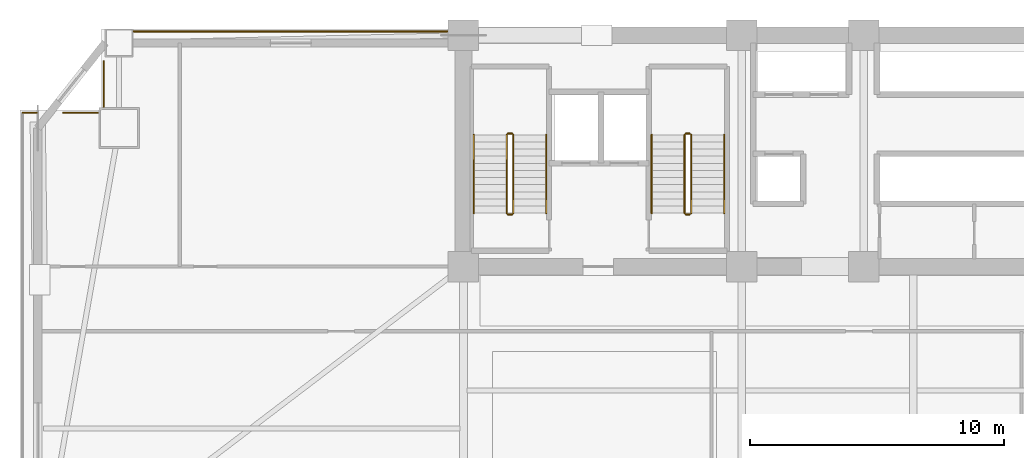
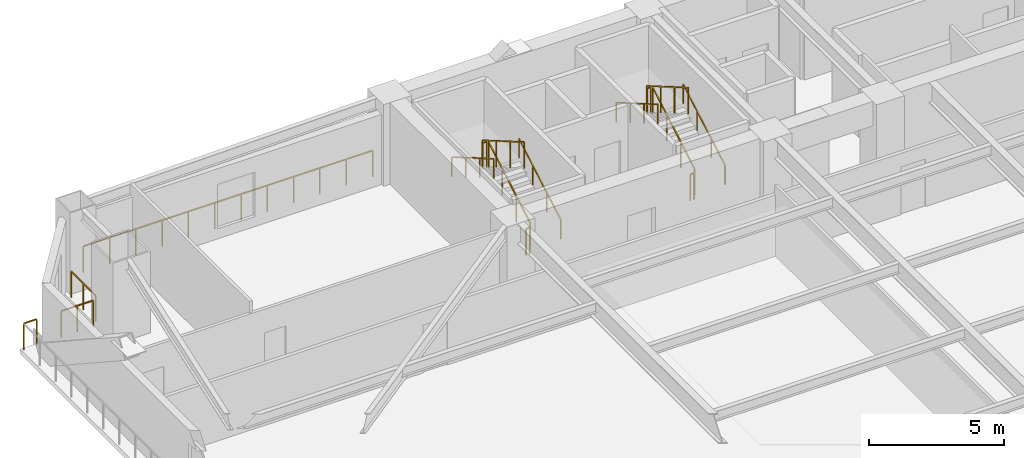
# One storey, part 15 of 17: 16 railings.
"""IFC4 building model written with IfcOpenShell, lengths in metres."""

import ifcopenshell
import ifcopenshell.guid

model = None  # the IFC model being written
_history = None  # IfcOwnerHistory: only IFC2X3 demands one
_inside = {}  # id of a spatial element -> (the spatial element, [elements in it])
_under = {}  # id of a project, library or spatial element -> (it, [spatial elements below it])
_declared = {}  # id of a project -> (the project, [libraries it declares])
_typed = {}  # id of a type object -> (the type object, [elements of that type])
_made_of = {}  # id of a material, layer set ... -> (it, [elements and type objects made of it])


def new_model(schema):
    """Start an empty IFC model of exactly this schema.

    Asked for "IFC4X3", IfcOpenShell would pick the latest addendum, in which some entities
    have other attributes; the version numbers below select the first issue.
    IFC2X3 requires an IfcOwnerHistory on every rooted entity: one is made here for all.
    """
    global model, _history
    if schema == "IFC4X3":
        model = ifcopenshell.file(schema_version=(4, 3, 0, 0))
    else:
        model = ifcopenshell.file(schema=schema)
    _inside.clear()
    _under.clear()
    _declared.clear()
    _typed.clear()
    _made_of.clear()
    _history = None
    if model.schema == "IFC2X3":
        org = make("IfcOrganization", Name="unknown")
        user = make(
            "IfcPersonAndOrganization",
            ThePerson=make("IfcPerson", FamilyName="unknown"),
            TheOrganization=org,
        )
        app = make(
            "IfcApplication",
            ApplicationDeveloper=org,
            Version="unknown",
            ApplicationFullName="unknown",
            ApplicationIdentifier="unknown",
        )
        _history = make(
            "IfcOwnerHistory",
            OwningUser=user,
            OwningApplication=app,
            ChangeAction="ADDED",
            CreationDate=0,
        )
    return model


def make(cls, **values):
    """One entity of the class cls with the attributes given. An attribute that is None is left unset."""
    return model.create_entity(
        cls, **{name: value for name, value in values.items() if value is not None}
    )


def rooted(cls, **values):
    """An entity with a GlobalId (a new one), such as an element, a storey or a relation."""
    return make(cls, GlobalId=ifcopenshell.guid.new(), OwnerHistory=_history, **values)


def si_unit(unit_type, name, prefix=None):
    """IfcSIUnit, for example si_unit("LENGTHUNIT", "METRE", prefix="MILLI")."""
    return make("IfcSIUnit", UnitType=unit_type, Prefix=prefix, Name=name)


def assignment(units):
    """IfcUnitAssignment: the units of a project."""
    return None if units is None else make("IfcUnitAssignment", Units=units)


def point(xyz):
    """IfcCartesianPoint."""
    return None if xyz is None else make("IfcCartesianPoint", Coordinates=xyz)


def direction(xyz):
    """IfcDirection."""
    return None if xyz is None else make("IfcDirection", DirectionRatios=xyz)


def frame(location, z_axis=None, x_axis=None):
    """IfcAxis2Placement3D, a coordinate frame: its origin and axes. An axis left out is left unset."""
    return make(
        "IfcAxis2Placement3D",
        Location=point(location),
        Axis=direction(z_axis),
        RefDirection=direction(x_axis),
    )


def frame_2d(location, x_axis=None):
    """IfcAxis2Placement2D, a coordinate frame in the plane: its origin and x axis."""
    return make(
        "IfcAxis2Placement2D", Location=point(location), RefDirection=direction(x_axis)
    )


def origin():
    """The frame at (0, 0, 0) with its axes left unset."""
    return frame((0.0, 0.0, 0.0))


def origin_2d():
    """The frame at (0, 0) in the plane with its x axis left unset."""
    return frame_2d((0.0, 0.0))


def place(relative_to, where):
    """IfcLocalPlacement: puts the frame where relative to a parent placement (None: the world)."""
    return make(
        "IfcLocalPlacement", PlacementRelTo=relative_to, RelativePlacement=where
    )


def context(
    kind, dimensions, precision=None, world=None, true_north=None, identifier=None
):
    """IfcGeometricRepresentationContext, for example the 3D "Model" context."""
    return make(
        "IfcGeometricRepresentationContext",
        ContextIdentifier=identifier,
        ContextType=kind,
        CoordinateSpaceDimension=dimensions,
        Precision=precision,
        WorldCoordinateSystem=world,
        TrueNorth=true_north,
    )


def subcontext(parent, identifier, kind, view, scale=None):
    """IfcGeometricRepresentationSubContext, for example "Body" below "Model"."""
    return make(
        "IfcGeometricRepresentationSubContext",
        ContextIdentifier=identifier,
        ContextType=kind,
        ParentContext=parent,
        TargetScale=scale,
        TargetView=view,
    )


def project(units=None, contexts=None):
    """IfcProject with its units and contexts."""
    return rooted(
        "IfcProject",
        Name="project",
        RepresentationContexts=contexts,
        UnitsInContext=assignment(units),
    )


def spatial(cls, under=None, at=None, **own):
    """A site, building, storey or space (cls), placed at a placement, below another one or the project."""
    s = rooted(cls, ObjectPlacement=at, **own)
    if under is not None:
        _under.setdefault(under.id(), (under, []))[1].append(s)
    return s


def profile(cls, at=None, kind="AREA", **sizes):
    """A parametric profile (cls). Its sizes go by their IFC names, for example OverallWidth=200.0."""
    return make(cls, ProfileType=kind, Position=at, **sizes)


def rectangle(**sizes):
    """IfcRectangleProfileDef."""
    return profile("IfcRectangleProfileDef", **sizes)


def extrude(swept, where, along, depth):
    """IfcExtrudedAreaSolid: the profile swept, set in the frame where, extruded along a direction by depth."""
    return make(
        "IfcExtrudedAreaSolid",
        SweptArea=swept,
        Position=where,
        ExtrudedDirection=direction(along),
        Depth=depth,
    )


def shape(context_of_items, identifier, shape_type, items):
    """IfcShapeRepresentation: the items that make up one representation, for example the "Body"."""
    return make(
        "IfcShapeRepresentation",
        ContextOfItems=context_of_items,
        RepresentationIdentifier=identifier,
        RepresentationType=shape_type,
        Items=items,
    )


def material(Name=None, Category=None):
    """IfcMaterial."""
    return make("IfcMaterial", Name=Name, Category=Category)


def made_of(thing, what):
    """Note that an element or type object is made of a material, layer set ...; save() writes the relation."""
    if what is not None:
        _made_of.setdefault(what.id(), (what, []))[1].append(thing)
    return thing


def type_object(cls, material=None, **own):
    """A type object (cls), such as IfcWallType, which elements share."""
    return made_of(rooted(cls, **own), material)


def element(
    cls,
    number,
    at=None,
    inside=None,
    cuts=None,
    type_object=None,
    material=None,
    context=None,
    identifier="Body",
    shape_type=None,
    held_by="IfcProductDefinitionShape",
    body=None,
    shapes=None,
    **own,
):
    """One element of the class cls, such as IfcWall. Its Tag is "e" and its number.

    at: its placement. inside: the storey or other place that contains it. cuts: it is an
    opening in that element (IfcRelVoidsElement). A single representation is given by context,
    identifier, shape_type and body (its items); several are given by shapes. held_by: the class
    of the entity that holds the representations. save() writes the other relations.
    """
    e = rooted(cls, Tag="e%d" % number, ObjectPlacement=at, **own)
    if body is not None:
        shapes = [shape(context, identifier, shape_type, body)]
    if shapes is not None:
        e.Representation = make(held_by, Representations=shapes)
    if inside is not None:
        _inside.setdefault(inside.id(), (inside, []))[1].append(e)
    if cuts is not None:
        rooted(
            "IfcRelVoidsElement", RelatingBuildingElement=cuts, RelatedOpeningElement=e
        )
    if type_object is not None:
        _typed.setdefault(type_object.id(), (type_object, []))[1].append(e)
    return made_of(e, material)


def aggregate(whole, parts):
    """IfcRelAggregates: a whole, such as a stair, and the parts it consists of."""
    return rooted("IfcRelAggregates", RelatingObject=whole, RelatedObjects=parts)


def save(model, path):
    """Write the relations noted so far, then the file.

    IfcRelAggregates (storeys below a building ...), IfcRelContainedInSpatialStructure (elements
    in a storey), IfcRelDefinesByType, IfcRelAssociatesMaterial and IfcRelDeclares: one each for
    every whole, place, type object, material and project.
    """
    for whole, parts in _under.values():
        aggregate(whole, parts)
    for where, things in _inside.values():
        rooted(
            "IfcRelContainedInSpatialStructure",
            RelatedElements=things,
            RelatingStructure=where,
        )
    for kind, things in _typed.values():
        rooted("IfcRelDefinesByType", RelatedObjects=things, RelatingType=kind)
    for what, things in _made_of.values():
        rooted("IfcRelAssociatesMaterial", RelatedObjects=things, RelatingMaterial=what)
    for by, libraries in _declared.values():
        rooted("IfcRelDeclares", RelatingContext=by, RelatedDefinitions=libraries)
    model.write(path)


model = new_model("IFC4")

# Units and contexts
model_context = context("Model", 3, precision=1e-05, world=origin(), true_north=direction((0.0, 1.0)))
body_context = subcontext(model_context, "Body", "Model", "MODEL_VIEW")
ifc_project = project(units=[si_unit("LENGTHUNIT", "METRE"), si_unit("AREAUNIT", "SQUARE_METRE"), si_unit("VOLUMEUNIT", "CUBIC_METRE"), si_unit("PLANEANGLEUNIT", "RADIAN"), si_unit("MASSUNIT", "GRAM", prefix="KILO")], contexts=[model_context])

# Site, building, storey
site_placement = place(None, origin())
site = spatial("IfcSite", under=ifc_project, at=site_placement, CompositionType="ELEMENT")
building_placement = place(site_placement, origin())
building = spatial("IfcBuilding", under=site, at=building_placement, Name="Giltprow Tower", CompositionType="ELEMENT")
storey_placement = place(building_placement, frame((0.0, 0.0, 25.39990234375)))
storey = spatial("IfcBuildingStorey", under=building, at=storey_placement, Name="L06", CompositionType="ELEMENT", Elevation=25.39990234375)

# Railings
ifc_material = material(Name="Anodized bronze", Category="metal")
railing_type_1 = type_object("IfcRailingType", Name="RAIL-BALC-GUARD-1200", PredefinedType="BALUSTRADE", material=ifc_material)
railing_1_placement = place(storey_placement, frame((2.5, 43.5, 0.0)))
element("IfcRailing", 1, at=railing_1_placement, inside=storey, type_object=railing_type_1, Name="L06 Corner Apron Edge Balustrade 6", PredefinedType="BALUSTRADE", context=body_context, shape_type="SweptSolid", body=[
    extrude(rectangle(XDim=0.048095703125, YDim=0.048095703125, at=origin_2d()), frame((0.0, 0.0, 1.17578125), z_axis=(1.0, 0.0, 0.0), x_axis=(0.0, 1.0, 0.0)), (0.0, 0.0, 1.0), 0.552001953125),
    extrude(rectangle(XDim=0.0419921875, YDim=0.0419921875, at=origin_2d()), origin(), (0.0, 0.0, 1.0), 1.15185546875),
    extrude(rectangle(XDim=0.0419921875, YDim=0.0419921875, at=origin_2d()), frame((0.552001953125, 0.0, 0.0)), (0.0, 0.0, 1.0), 1.15185546875),
])
railing_2_placement = place(storey_placement, frame((4.096923828125, 43.5, 0.0)))
element("IfcRailing", 2, at=railing_2_placement, inside=storey, type_object=railing_type_1, Name="L06 Corner Apron Edge Balustrade 7", PredefinedType="BALUSTRADE", context=body_context, shape_type="SweptSolid", body=[
    extrude(rectangle(XDim=0.048095703125, YDim=0.048095703125, at=origin_2d()), frame((0.0, 0.0, 1.17578125), z_axis=(1.0, 0.0, 0.0), x_axis=(0.0, 1.0, 0.0)), (0.0, 0.0, 1.0), 1.3681640625),
    extrude(rectangle(XDim=0.0419921875, YDim=0.0419921875, at=origin_2d()), origin(), (0.0, 0.0, 1.0), 1.15185546875),
    extrude(rectangle(XDim=0.0419921875, YDim=0.0419921875, at=origin_2d()), frame((0.68408203125, 0.0, 0.0)), (0.0, 0.0, 1.0), 1.15185546875),
    extrude(rectangle(XDim=0.0419921875, YDim=0.0419921875, at=origin_2d()), frame((1.3681640625, 0.0, 0.0)), (0.0, 0.0, 1.0), 1.15185546875),
])
railing_3_placement = place(storey_placement, frame((5.699951171875, 43.735107421875, 0.0)))
element("IfcRailing", 3, at=railing_3_placement, inside=storey, type_object=railing_type_1, Name="L06 Corner Apron Edge Balustrade 8", PredefinedType="BALUSTRADE", context=body_context, shape_type="SweptSolid", body=[
    extrude(rectangle(XDim=0.048095703125, YDim=0.048095703125, at=origin_2d()), frame((0.0, 0.0, 1.17578125), z_axis=(0.0, 1.0, 0.0), x_axis=(-1.0, 0.0, 0.0)), (0.0, 0.0, 1.0), 1.790771484375),
    extrude(rectangle(XDim=0.0419921875, YDim=0.0419921875, at=origin_2d()), origin(), (0.0, 0.0, 1.0), 1.15185546875),
    extrude(rectangle(XDim=0.0419921875, YDim=0.0419921875, at=origin_2d()), frame((0.0, 0.8955078125, 0.0)), (0.0, 0.0, 1.0), 1.15185546875),
    extrude(rectangle(XDim=0.0419921875, YDim=0.0419921875, at=origin_2d()), frame((0.0, 1.790771484375, 0.0)), (0.0, 0.0, 1.0), 1.15185546875),
])
railing_4_placement = place(storey_placement, frame((6.885009765625, 46.699951171875, 0.0)))
element("IfcRailing", 4, at=railing_4_placement, inside=storey, type_object=railing_type_1, Name="L06 Corner Apron Edge Balustrade 9", PredefinedType="BALUSTRADE", context=body_context, shape_type="SweptSolid", body=[
    extrude(rectangle(XDim=0.048095703125, YDim=0.048095703125, at=origin_2d()), frame((0.0, 0.0, 1.17578125), z_axis=(1.0, 0.0, 0.0), x_axis=(0.0, 1.0, 0.0)), (0.0, 0.0, 1.0), 12.330078125),
    extrude(rectangle(XDim=0.0419921875, YDim=0.0419921875, at=origin_2d()), origin(), (0.0, 0.0, 1.0), 1.15185546875),
    extrude(rectangle(XDim=0.0419921875, YDim=0.0419921875, at=origin_2d()), frame((1.120849609375, 0.0, 0.0)), (0.0, 0.0, 1.0), 1.15185546875),
    extrude(rectangle(XDim=0.0419921875, YDim=0.0419921875, at=origin_2d()), frame((2.241943359375, 0.0, 0.0)), (0.0, 0.0, 1.0), 1.15185546875),
    extrude(rectangle(XDim=0.0419921875, YDim=0.0419921875, at=origin_2d()), frame((3.36279296875, 0.0, 0.0)), (0.0, 0.0, 1.0), 1.15185546875),
    extrude(rectangle(XDim=0.0419921875, YDim=0.0419921875, at=origin_2d()), frame((4.483642578125, 0.0, 0.0)), (0.0, 0.0, 1.0), 1.15185546875),
    extrude(rectangle(XDim=0.0419921875, YDim=0.0419921875, at=origin_2d()), frame((5.6044921875, 0.0, 0.0)), (0.0, 0.0, 1.0), 1.15185546875),
    extrude(rectangle(XDim=0.0419921875, YDim=0.0419921875, at=origin_2d()), frame((6.7255859375, 0.0, 0.0)), (0.0, 0.0, 1.0), 1.15185546875),
    extrude(rectangle(XDim=0.0419921875, YDim=0.0419921875, at=origin_2d()), frame((7.846435546875, 0.0, 0.0)), (0.0, 0.0, 1.0), 1.15185546875),
    extrude(rectangle(XDim=0.0419921875, YDim=0.0419921875, at=origin_2d()), frame((8.96728515625, 0.0, 0.0)), (0.0, 0.0, 1.0), 1.15185546875),
    extrude(rectangle(XDim=0.0419921875, YDim=0.0419921875, at=origin_2d()), frame((10.088134765625, 0.0, 0.0)), (0.0, 0.0, 1.0), 1.15185546875),
    extrude(rectangle(XDim=0.0419921875, YDim=0.0419921875, at=origin_2d()), frame((11.209228515625, 0.0, 0.0)), (0.0, 0.0, 1.0), 1.15185546875),
    extrude(rectangle(XDim=0.0419921875, YDim=0.0419921875, at=origin_2d()), frame((12.330078125, 0.0, 0.0)), (0.0, 0.0, 1.0), 1.15185546875),
])
railing_type_2 = type_object("IfcRailingType", Name="RAIL-STAIR-GUARD-1200", PredefinedType="GUARDRAIL", material=ifc_material)
railing_5_placement = place(storey_placement, frame((21.81005859375, 39.550048828125, 0.16259765625)))
element("IfcRailing", 5, at=railing_5_placement, inside=storey, type_object=railing_type_2, Name="L06 ST-1 stair guard 1", PredefinedType="GUARDRAIL", context=body_context, shape_type="SweptSolid", body=[
    extrude(rectangle(XDim=0.048095703125, YDim=0.048095703125, at=origin_2d()), frame((0.0, 0.0, 1.17578125), z_axis=(0.0, 0.864873446163, 0.501989962173), x_axis=(-1.0, 0.0, 0.0)), (0.0, 0.0, 1.0), 3.56103515625),
    extrude(rectangle(XDim=0.0419921875, YDim=0.0419921875, at=origin_2d()), origin(), (0.0, 0.0, 1.0), 1.15185546875),
    extrude(rectangle(XDim=0.0419921875, YDim=0.0419921875, at=origin_2d()), frame((0.0, 1.026611328125, 0.595947265625)), (0.0, 0.0, 1.0), 1.15185546875),
    extrude(rectangle(XDim=0.0419921875, YDim=0.0419921875, at=origin_2d()), frame((0.0, 2.05322265625, 1.191650390625)), (0.0, 0.0, 1.0), 1.15185546875),
    extrude(rectangle(XDim=0.0419921875, YDim=0.0419921875, at=origin_2d()), frame((0.0, 3.079833984375, 1.78759765625)), (0.0, 0.0, 1.0), 1.15185546875),
])
railing_6_placement = place(storey_placement, frame((21.760009765625, 42.679931640625, 1.9501953125)))
element("IfcRailing", 6, at=railing_6_placement, inside=storey, type_object=railing_type_2, Name="L06 ST-1 stair guard 2", PredefinedType="GUARDRAIL", context=body_context, shape_type="SweptSolid", body=[
    extrude(rectangle(XDim=0.048095703125, YDim=0.048095703125, at=origin_2d()), frame((0.0, 0.0, 1.17578125), z_axis=(-1.0, 0.0, 0.0), x_axis=(0.0, -1.0, 0.0)), (0.0, 0.0, 1.0), 0.159912109375),
    extrude(rectangle(XDim=0.0419921875, YDim=0.0419921875, at=origin_2d()), origin(), (0.0, 0.0, 1.0), 1.15185546875),
    extrude(rectangle(XDim=0.0419921875, YDim=0.0419921875, at=origin_2d()), frame((-0.159912109375, 0.0, 0.0)), (0.0, 0.0, 1.0), 1.15185546875),
])
railing_7_placement = place(storey_placement, frame((21.550048828125, 42.6298828125, 2.112548828125)))
element("IfcRailing", 7, at=railing_7_placement, inside=storey, type_object=railing_type_2, Name="L06 ST-1 stair guard 3", PredefinedType="GUARDRAIL", context=body_context, shape_type="SweptSolid", body=[
    extrude(rectangle(XDim=0.048095703125, YDim=0.048095703125, at=origin_2d()), frame((0.0, 0.0, 1.17578125), z_axis=(0.0, -0.864873446163, 0.501989962173), x_axis=(1.0, 0.0, 0.0)), (0.0, 0.0, 1.0), 3.56103515625),
    extrude(rectangle(XDim=0.0419921875, YDim=0.0419921875, at=origin_2d()), origin(), (0.0, 0.0, 1.0), 1.15185546875),
    extrude(rectangle(XDim=0.0419921875, YDim=0.0419921875, at=origin_2d()), frame((0.0, -1.026611328125, 0.595947265625)), (0.0, 0.0, 1.0), 1.15185546875),
    extrude(rectangle(XDim=0.0419921875, YDim=0.0419921875, at=origin_2d()), frame((0.0, -2.05322265625, 1.191650390625)), (0.0, 0.0, 1.0), 1.15185546875),
    extrude(rectangle(XDim=0.0419921875, YDim=0.0419921875, at=origin_2d()), frame((0.0, -3.079833984375, 1.78759765625)), (0.0, 0.0, 1.0), 1.15185546875),
])
railing_8_placement = place(storey_placement, frame((21.760009765625, 39.5, 0.0)))
element("IfcRailing", 8, at=railing_8_placement, inside=storey, type_object=railing_type_2, Name="L06 ST-1 stair guard 4", PredefinedType="GUARDRAIL", context=body_context, shape_type="SweptSolid", body=[
    extrude(rectangle(XDim=0.048095703125, YDim=0.048095703125, at=origin_2d()), frame((0.0, 0.0, 1.17578125), z_axis=(-1.0, 0.0, 0.0), x_axis=(0.0, -1.0, 0.0)), (0.0, 0.0, 1.0), 0.159912109375),
    extrude(rectangle(XDim=0.0419921875, YDim=0.0419921875, at=origin_2d()), origin(), (0.0, 0.0, 1.0), 1.15185546875),
    extrude(rectangle(XDim=0.0419921875, YDim=0.0419921875, at=origin_2d()), frame((-0.159912109375, 0.0, 0.0)), (0.0, 0.0, 1.0), 1.15185546875),
])
railing_9_placement = place(storey_placement, frame((28.81005859375, 39.550048828125, 0.16259765625)))
element("IfcRailing", 9, at=railing_9_placement, inside=storey, type_object=railing_type_2, Name="L06 ST-2 stair guard 1", PredefinedType="GUARDRAIL", context=body_context, shape_type="SweptSolid", body=[
    extrude(rectangle(XDim=0.048095703125, YDim=0.048095703125, at=origin_2d()), frame((0.0, 0.0, 1.17578125), z_axis=(0.0, 0.864873446163, 0.501989962173), x_axis=(-1.0, 0.0, 0.0)), (0.0, 0.0, 1.0), 3.56103515625),
    extrude(rectangle(XDim=0.0419921875, YDim=0.0419921875, at=origin_2d()), origin(), (0.0, 0.0, 1.0), 1.15185546875),
    extrude(rectangle(XDim=0.0419921875, YDim=0.0419921875, at=origin_2d()), frame((0.0, 1.026611328125, 0.595947265625)), (0.0, 0.0, 1.0), 1.15185546875),
    extrude(rectangle(XDim=0.0419921875, YDim=0.0419921875, at=origin_2d()), frame((0.0, 2.05322265625, 1.191650390625)), (0.0, 0.0, 1.0), 1.15185546875),
    extrude(rectangle(XDim=0.0419921875, YDim=0.0419921875, at=origin_2d()), frame((0.0, 3.079833984375, 1.78759765625)), (0.0, 0.0, 1.0), 1.15185546875),
])
railing_10_placement = place(storey_placement, frame((28.760009765625, 42.679931640625, 1.9501953125)))
element("IfcRailing", 10, at=railing_10_placement, inside=storey, type_object=railing_type_2, Name="L06 ST-2 stair guard 2", PredefinedType="GUARDRAIL", context=body_context, shape_type="SweptSolid", body=[
    extrude(rectangle(XDim=0.048095703125, YDim=0.048095703125, at=origin_2d()), frame((0.0, 0.0, 1.17578125), z_axis=(-1.0, 0.0, 0.0), x_axis=(0.0, -1.0, 0.0)), (0.0, 0.0, 1.0), 0.159912109375),
    extrude(rectangle(XDim=0.0419921875, YDim=0.0419921875, at=origin_2d()), origin(), (0.0, 0.0, 1.0), 1.15185546875),
    extrude(rectangle(XDim=0.0419921875, YDim=0.0419921875, at=origin_2d()), frame((-0.159912109375, 0.0, 0.0)), (0.0, 0.0, 1.0), 1.15185546875),
])
railing_11_placement = place(storey_placement, frame((28.550048828125, 42.6298828125, 2.112548828125)))
element("IfcRailing", 11, at=railing_11_placement, inside=storey, type_object=railing_type_2, Name="L06 ST-2 stair guard 3", PredefinedType="GUARDRAIL", context=body_context, shape_type="SweptSolid", body=[
    extrude(rectangle(XDim=0.048095703125, YDim=0.048095703125, at=origin_2d()), frame((0.0, 0.0, 1.17578125), z_axis=(0.0, -0.864873446163, 0.501989962173), x_axis=(1.0, 0.0, 0.0)), (0.0, 0.0, 1.0), 3.56103515625),
    extrude(rectangle(XDim=0.0419921875, YDim=0.0419921875, at=origin_2d()), origin(), (0.0, 0.0, 1.0), 1.15185546875),
    extrude(rectangle(XDim=0.0419921875, YDim=0.0419921875, at=origin_2d()), frame((0.0, -1.026611328125, 0.595947265625)), (0.0, 0.0, 1.0), 1.15185546875),
    extrude(rectangle(XDim=0.0419921875, YDim=0.0419921875, at=origin_2d()), frame((0.0, -2.05322265625, 1.191650390625)), (0.0, 0.0, 1.0), 1.15185546875),
    extrude(rectangle(XDim=0.0419921875, YDim=0.0419921875, at=origin_2d()), frame((0.0, -3.079833984375, 1.78759765625)), (0.0, 0.0, 1.0), 1.15185546875),
])
railing_12_placement = place(storey_placement, frame((28.760009765625, 39.5, 0.0)))
element("IfcRailing", 12, at=railing_12_placement, inside=storey, type_object=railing_type_2, Name="L06 ST-2 stair guard 4", PredefinedType="GUARDRAIL", context=body_context, shape_type="SweptSolid", body=[
    extrude(rectangle(XDim=0.048095703125, YDim=0.048095703125, at=origin_2d()), frame((0.0, 0.0, 1.17578125), z_axis=(-1.0, 0.0, 0.0), x_axis=(0.0, -1.0, 0.0)), (0.0, 0.0, 1.0), 0.159912109375),
    extrude(rectangle(XDim=0.0419921875, YDim=0.0419921875, at=origin_2d()), origin(), (0.0, 0.0, 1.0), 1.15185546875),
    extrude(rectangle(XDim=0.0419921875, YDim=0.0419921875, at=origin_2d()), frame((-0.159912109375, 0.0, 0.0)), (0.0, 0.0, 1.0), 1.15185546875),
])
railing_type_3 = type_object("IfcRailingType", Name="RAIL-STAIR-HAND-900", PredefinedType="HANDRAIL", material=ifc_material)
railing_13_placement = place(storey_placement, frame((23.110107421875, 39.550048828125, 0.16259765625)))
element("IfcRailing", 13, at=railing_13_placement, inside=storey, type_object=railing_type_3, Name="L06 ST-1 stair handrail 1", PredefinedType="HANDRAIL", context=body_context, shape_type="SweptSolid", body=[
    extrude(rectangle(XDim=0.048095703125, YDim=0.048095703125, at=origin_2d()), frame((0.0, 0.0, 0.8759765625), z_axis=(0.0, 0.864873446163, 0.501989962173), x_axis=(-1.0, 0.0, 0.0)), (0.0, 0.0, 1.0), 3.56103515625),
    extrude(rectangle(XDim=0.0419921875, YDim=0.0419921875, at=origin_2d()), origin(), (0.0, 0.0, 1.0), 0.851806640625),
    extrude(rectangle(XDim=0.0419921875, YDim=0.0419921875, at=origin_2d()), frame((0.0, 1.026611328125, 0.595947265625)), (0.0, 0.0, 1.0), 0.851806640625),
    extrude(rectangle(XDim=0.0419921875, YDim=0.0419921875, at=origin_2d()), frame((0.0, 2.05322265625, 1.191650390625)), (0.0, 0.0, 1.0), 0.851806640625),
    extrude(rectangle(XDim=0.0419921875, YDim=0.0419921875, at=origin_2d()), frame((0.0, 3.079833984375, 1.78759765625)), (0.0, 0.0, 1.0), 0.851806640625),
])
railing_14_placement = place(storey_placement, frame((20.25, 42.6298828125, 2.112548828125)))
element("IfcRailing", 14, at=railing_14_placement, inside=storey, type_object=railing_type_3, Name="L06 ST-1 stair handrail 2", PredefinedType="HANDRAIL", context=body_context, shape_type="SweptSolid", body=[
    extrude(rectangle(XDim=0.048095703125, YDim=0.048095703125, at=origin_2d()), frame((0.0, 0.0, 0.8759765625), z_axis=(0.0, -0.864873446163, 0.501989962173), x_axis=(1.0, 0.0, 0.0)), (0.0, 0.0, 1.0), 3.56103515625),
    extrude(rectangle(XDim=0.0419921875, YDim=0.0419921875, at=origin_2d()), origin(), (0.0, 0.0, 1.0), 0.851806640625),
    extrude(rectangle(XDim=0.0419921875, YDim=0.0419921875, at=origin_2d()), frame((0.0, -1.026611328125, 0.595947265625)), (0.0, 0.0, 1.0), 0.851806640625),
    extrude(rectangle(XDim=0.0419921875, YDim=0.0419921875, at=origin_2d()), frame((0.0, -2.05322265625, 1.191650390625)), (0.0, 0.0, 1.0), 0.851806640625),
    extrude(rectangle(XDim=0.0419921875, YDim=0.0419921875, at=origin_2d()), frame((0.0, -3.079833984375, 1.78759765625)), (0.0, 0.0, 1.0), 0.851806640625),
])
railing_15_placement = place(storey_placement, frame((30.110107421875, 39.550048828125, 0.16259765625)))
element("IfcRailing", 15, at=railing_15_placement, inside=storey, type_object=railing_type_3, Name="L06 ST-2 stair handrail 1", PredefinedType="HANDRAIL", context=body_context, shape_type="SweptSolid", body=[
    extrude(rectangle(XDim=0.048095703125, YDim=0.048095703125, at=origin_2d()), frame((0.0, 0.0, 0.8759765625), z_axis=(0.0, 0.864873446163, 0.501989962173), x_axis=(-1.0, 0.0, 0.0)), (0.0, 0.0, 1.0), 3.56103515625),
    extrude(rectangle(XDim=0.0419921875, YDim=0.0419921875, at=origin_2d()), origin(), (0.0, 0.0, 1.0), 0.851806640625),
    extrude(rectangle(XDim=0.0419921875, YDim=0.0419921875, at=origin_2d()), frame((0.0, 1.026611328125, 0.595947265625)), (0.0, 0.0, 1.0), 0.851806640625),
    extrude(rectangle(XDim=0.0419921875, YDim=0.0419921875, at=origin_2d()), frame((0.0, 2.05322265625, 1.191650390625)), (0.0, 0.0, 1.0), 0.851806640625),
    extrude(rectangle(XDim=0.0419921875, YDim=0.0419921875, at=origin_2d()), frame((0.0, 3.079833984375, 1.78759765625)), (0.0, 0.0, 1.0), 0.851806640625),
])
railing_16_placement = place(storey_placement, frame((27.25, 42.6298828125, 2.112548828125)))
element("IfcRailing", 16, at=railing_16_placement, inside=storey, type_object=railing_type_3, Name="L06 ST-2 stair handrail 2", PredefinedType="HANDRAIL", context=body_context, shape_type="SweptSolid", body=[
    extrude(rectangle(XDim=0.048095703125, YDim=0.048095703125, at=origin_2d()), frame((0.0, 0.0, 0.8759765625), z_axis=(0.0, -0.864873446163, 0.501989962173), x_axis=(1.0, 0.0, 0.0)), (0.0, 0.0, 1.0), 3.56103515625),
    extrude(rectangle(XDim=0.0419921875, YDim=0.0419921875, at=origin_2d()), origin(), (0.0, 0.0, 1.0), 0.851806640625),
    extrude(rectangle(XDim=0.0419921875, YDim=0.0419921875, at=origin_2d()), frame((0.0, -1.026611328125, 0.595947265625)), (0.0, 0.0, 1.0), 0.851806640625),
    extrude(rectangle(XDim=0.0419921875, YDim=0.0419921875, at=origin_2d()), frame((0.0, -2.05322265625, 1.191650390625)), (0.0, 0.0, 1.0), 0.851806640625),
    extrude(rectangle(XDim=0.0419921875, YDim=0.0419921875, at=origin_2d()), frame((0.0, -3.079833984375, 1.78759765625)), (0.0, 0.0, 1.0), 0.851806640625),
])

save(model, "model.ifc")
